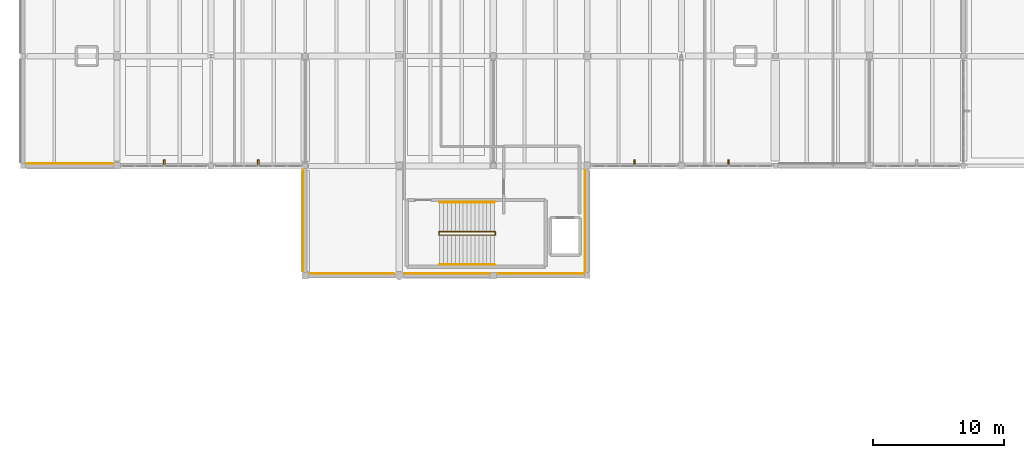
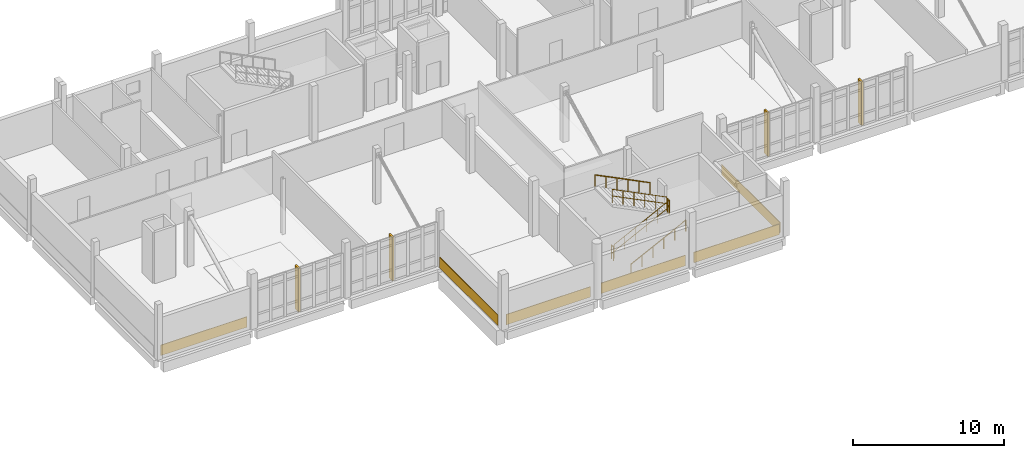
# One storey, part 31 of 34: 6 coverings, 6 railings, 4 shading devices.
"""IFC4 building model written with IfcOpenShell, lengths in metres."""

from ifc_helpers import new_model, si_unit, direction, frame, origin, origin_2d, place, context, subcontext, project, spatial, rectangle, circle, extrude, material, layer, layer_set, type_object, element, save


model = new_model("IFC4")

# Units and contexts
model_context = context("Model", 3, precision=1e-05, world=origin(), true_north=direction((0.0, 1.0)))
body_context = subcontext(model_context, "Body", "Model", "MODEL_VIEW")
ifc_project = project(units=[si_unit("LENGTHUNIT", "METRE"), si_unit("AREAUNIT", "SQUARE_METRE"), si_unit("VOLUMEUNIT", "CUBIC_METRE"), si_unit("PLANEANGLEUNIT", "RADIAN"), si_unit("MASSUNIT", "GRAM", prefix="KILO")], contexts=[model_context])

# Site, building, storey
site_placement = place(None, origin())
site = spatial("IfcSite", under=ifc_project, at=site_placement, CompositionType="ELEMENT")
building_placement = place(site_placement, origin())
building = spatial("IfcBuilding", under=site, at=building_placement, Name="Kalluvel Institute of Natural Sciences", CompositionType="ELEMENT")
storey_placement = place(building_placement, frame((0.0, 0.0, 36.89990234375)))
storey = spatial("IfcBuildingStorey", under=building, at=storey_placement, Name="L08", CompositionType="ELEMENT", Elevation=36.89990234375)

# Coverings
ifc_material_1 = material(Name="Sadarahalli Grey Granite Ashlar Concrete M40", Category="masonry")
ifc_layer = layer(ifc_material_1, 0.044921875)
ifc_layer_set = layer_set([ifc_layer], Name="Sadarahalli Grey Granite Ashlar Concrete M40")
covering_type = type_object("IfcCoveringType", Name="COV-CLAD-STONE", PredefinedType="CLADDING", material=ifc_layer_set)
covering_1_placement = place(storey_placement, frame((17.574951171875, 102.969970703125, 0.025146484375), z_axis=(0.0, 0.0, 1.0), x_axis=(1.0, 0.0, 0.0)))
element("IfcCovering", 1, at=covering_1_placement, inside=storey, type_object=covering_type, Name="L08 Sadarahalli granite plinth spandrel cladding 102", PredefinedType="CLADDING", context=body_context, shape_type="SweptSolid", body=[
    extrude(rectangle(XDim=6.590087890625, YDim=0.044921875, at=origin_2d()), origin(), (0.0, 0.0, 1.0), 0.85009765625),
])
for number, where, z_axis, x_axis, name in (
    (2, (39.16259765625, 94.570068359375, 0.025146484375), (0.0, 0.0, 1.0), (1.0, 0.0, 0.0), "L08 Sadarahalli granite plinth spandrel cladding 124"),
    (3, (46.4375, 94.570068359375, 0.025146484375), (0.0, 0.0, 1.0), (1.0, 0.0, 0.0), "L08 Sadarahalli granite plinth spandrel cladding 125"),
):
    element("IfcCovering", number, at=place(storey_placement, frame(where, z_axis=z_axis, x_axis=x_axis)), inside=storey, type_object=covering_type, Name=name, PredefinedType="CLADDING", context=body_context, shape_type="SweptSolid", body=[
        extrude(rectangle(XDim=6.465087890625, YDim=0.044921875, at=origin_2d()), origin(), (0.0, 0.0, 1.0), 0.85009765625),
    ])
covering_2_placement = place(storey_placement, frame((53.612548828125, 94.570068359375, 0.025146484375), z_axis=(0.0, 0.0, 1.0), x_axis=(1.0, 0.0, 0.0)))
element("IfcCovering", 4, at=covering_2_placement, inside=storey, type_object=covering_type, Name="L08 Sadarahalli granite plinth spandrel cladding 126", PredefinedType="CLADDING", context=body_context, shape_type="SweptSolid", body=[
    extrude(rectangle(XDim=6.56494140625, YDim=0.044921875, at=origin_2d()), origin(), (0.0, 0.0, 1.0), 0.85009765625),
])
covering_3_placement = place(storey_placement, frame((57.030029296875, 98.58740234375, 0.025146484375), z_axis=(0.0, 0.0, 1.0), x_axis=(0.0, 1.0, 0.0)))
element("IfcCovering", 5, at=covering_3_placement, inside=storey, type_object=covering_type, Name="L08 Sadarahalli granite plinth spandrel cladding 127", PredefinedType="CLADDING", context=body_context, shape_type="SweptSolid", body=[
    extrude(rectangle(XDim=7.764892578125, YDim=0.044921875, at=origin_2d()), origin(), (0.0, 0.0, 1.0), 0.85009765625),
])
covering_4_placement = place(storey_placement, frame((35.429931640625, 98.625, 0.025146484375), z_axis=(0.0, 0.0, 1.0), x_axis=(0.0, 1.0, 0.0)))
element("IfcCovering", 6, at=covering_4_placement, inside=storey, type_object=covering_type, Name="L08 Sadarahalli granite plinth spandrel cladding 128", PredefinedType="CLADDING", context=body_context, shape_type="SweptSolid", body=[
    extrude(rectangle(XDim=7.7900390625, YDim=0.044921875, at=origin_2d()), origin(), (0.0, 0.0, 1.0), 0.85009765625),
])

# Railings
ifc_material_2 = material(Name="Galvanized Fire-Rated Steel", Category="steel")
railing_type_1 = type_object("IfcRailingType", Name="RL-GD-STAIR", PredefinedType="BALUSTRADE", material=ifc_material_2)
railing_1_placement = place(storey_placement, frame((45.89990234375, 97.510009765625, 0.150146484375)))
element("IfcRailing", 7, at=railing_1_placement, inside=storey, type_object=railing_type_1, Name="L08 ST3 stair guard 1", PredefinedType="BALUSTRADE", context=body_context, shape_type="SweptSolid", body=[
    extrude(circle(Radius=0.02392578125, at=origin_2d()), frame((0.0, 0.0, 1.09619140625), z_axis=(0.894447986312, 0.0, 0.447172002457), x_axis=(0.0, 1.0, 0.0)), (0.0, 0.0, 1.0), 4.69580078125),
    extrude(circle(Radius=0.02392578125, at=origin_2d()), frame((0.0, 0.0, 0.56005859375), z_axis=(0.894447986312, 0.0, 0.447172002457), x_axis=(0.0, 1.0, 0.0)), (0.0, 0.0, 1.0), 4.69580078125),
    extrude(circle(Radius=0.02099609375, at=origin_2d()), origin(), (0.0, 0.0, 1.0), 1.072021484375),
    extrude(circle(Radius=0.02099609375, at=origin_2d()), frame((0.840087890625, 0.0, 0.419921875)), (0.0, 0.0, 1.0), 1.072021484375),
    extrude(circle(Radius=0.02099609375, at=origin_2d()), frame((1.68017578125, 0.0, 0.83984375)), (0.0, 0.0, 1.0), 1.072021484375),
    extrude(circle(Radius=0.02099609375, at=origin_2d()), frame((2.52001953125, 0.0, 1.260009765625)), (0.0, 0.0, 1.0), 1.072021484375),
    extrude(circle(Radius=0.02099609375, at=origin_2d()), frame((3.360107421875, 0.0, 1.679931640625)), (0.0, 0.0, 1.0), 1.072021484375),
    extrude(circle(Radius=0.02099609375, at=origin_2d()), frame((4.2001953125, 0.0, 2.099853515625)), (0.0, 0.0, 1.0), 1.072021484375),
])
railing_2_placement = place(storey_placement, frame((50.14990234375, 97.4951171875, 2.25)))
element("IfcRailing", 8, at=railing_2_placement, inside=storey, type_object=railing_type_1, Name="L08 ST3 stair guard 2", PredefinedType="BALUSTRADE", context=body_context, shape_type="SweptSolid", body=[
    extrude(circle(Radius=0.02392578125, at=origin_2d()), frame((0.0, 0.0, 1.09619140625), z_axis=(0.0, 1.0, 0.0), x_axis=(-1.0, 0.0, 0.0)), (0.0, 0.0, 1.0), 0.27978515625),
    extrude(circle(Radius=0.02392578125, at=origin_2d()), frame((0.0, 0.0, 0.56005859375), z_axis=(0.0, 1.0, 0.0), x_axis=(-1.0, 0.0, 0.0)), (0.0, 0.0, 1.0), 0.27978515625),
    extrude(circle(Radius=0.02099609375, at=origin_2d()), origin(), (0.0, 0.0, 1.0), 1.072021484375),
    extrude(circle(Radius=0.02099609375, at=origin_2d()), frame((0.0, 0.27978515625, 0.0)), (0.0, 0.0, 1.0), 1.072021484375),
])
railing_3_placement = place(storey_placement, frame((50.10009765625, 97.760009765625, 2.400146484375)))
element("IfcRailing", 9, at=railing_3_placement, inside=storey, type_object=railing_type_1, Name="L08 ST3 stair guard 3", PredefinedType="BALUSTRADE", context=body_context, shape_type="SweptSolid", body=[
    extrude(circle(Radius=0.02392578125, at=origin_2d()), frame((0.0, 0.0, 1.09619140625), z_axis=(-0.894447986312, 0.0, 0.447172002457), x_axis=(0.0, -1.0, 0.0)), (0.0, 0.0, 1.0), 4.69580078125),
    extrude(circle(Radius=0.02392578125, at=origin_2d()), frame((0.0, 0.0, 0.56005859375), z_axis=(-0.894447986312, 0.0, 0.447172002457), x_axis=(0.0, -1.0, 0.0)), (0.0, 0.0, 1.0), 4.69580078125),
    extrude(circle(Radius=0.02099609375, at=origin_2d()), origin(), (0.0, 0.0, 1.0), 1.072021484375),
    extrude(circle(Radius=0.02099609375, at=origin_2d()), frame((-0.840087890625, 0.0, 0.419921875)), (0.0, 0.0, 1.0), 1.072021484375),
    extrude(circle(Radius=0.02099609375, at=origin_2d()), frame((-1.68017578125, 0.0, 0.83984375)), (0.0, 0.0, 1.0), 1.072021484375),
    extrude(circle(Radius=0.02099609375, at=origin_2d()), frame((-2.52001953125, 0.0, 1.260009765625)), (0.0, 0.0, 1.0), 1.072021484375),
    extrude(circle(Radius=0.02099609375, at=origin_2d()), frame((-3.360107421875, 0.0, 1.679931640625)), (0.0, 0.0, 1.0), 1.072021484375),
    extrude(circle(Radius=0.02099609375, at=origin_2d()), frame((-4.2001953125, 0.0, 2.099853515625)), (0.0, 0.0, 1.0), 1.072021484375),
])
railing_4_placement = place(storey_placement, frame((45.85009765625, 97.4951171875, 0.0)))
element("IfcRailing", 10, at=railing_4_placement, inside=storey, type_object=railing_type_1, Name="L08 ST3 stair guard 4", PredefinedType="BALUSTRADE", context=body_context, shape_type="SweptSolid", body=[
    extrude(circle(Radius=0.02392578125, at=origin_2d()), frame((0.0, 0.0, 1.09619140625), z_axis=(0.0, 1.0, 0.0), x_axis=(-1.0, 0.0, 0.0)), (0.0, 0.0, 1.0), 0.27978515625),
    extrude(circle(Radius=0.02392578125, at=origin_2d()), frame((0.0, 0.0, 0.56005859375), z_axis=(0.0, 1.0, 0.0), x_axis=(-1.0, 0.0, 0.0)), (0.0, 0.0, 1.0), 0.27978515625),
    extrude(circle(Radius=0.02099609375, at=origin_2d()), origin(), (0.0, 0.0, 1.0), 1.072021484375),
    extrude(circle(Radius=0.02099609375, at=origin_2d()), frame((0.0, 0.27978515625, 0.0)), (0.0, 0.0, 1.0), 1.072021484375),
])
railing_type_2 = type_object("IfcRailingType", Name="RL-HR-STAIR", PredefinedType="HANDRAIL", material=ifc_material_2)
railing_5_placement = place(storey_placement, frame((45.89990234375, 95.25, 0.150146484375)))
element("IfcRailing", 11, at=railing_5_placement, inside=storey, type_object=railing_type_2, Name="L08 ST3 stair handrail 1", PredefinedType="HANDRAIL", context=body_context, shape_type="SweptSolid", body=[
    extrude(circle(Radius=0.02392578125, at=origin_2d()), frame((0.0, 0.0, 0.89599609375), z_axis=(0.894447986312, 0.0, 0.447172002457), x_axis=(0.0, 1.0, 0.0)), (0.0, 0.0, 1.0), 4.69580078125),
    extrude(circle(Radius=0.02099609375, at=origin_2d()), origin(), (0.0, 0.0, 1.0), 0.871826171875),
    extrude(circle(Radius=0.02099609375, at=origin_2d()), frame((0.840087890625, 0.0, 0.419921875)), (0.0, 0.0, 1.0), 0.871826171875),
    extrude(circle(Radius=0.02099609375, at=origin_2d()), frame((1.68017578125, 0.0, 0.83984375)), (0.0, 0.0, 1.0), 0.871826171875),
    extrude(circle(Radius=0.02099609375, at=origin_2d()), frame((2.52001953125, 0.0, 1.260009765625)), (0.0, 0.0, 1.0), 0.871826171875),
    extrude(circle(Radius=0.02099609375, at=origin_2d()), frame((3.360107421875, 0.0, 1.679931640625)), (0.0, 0.0, 1.0), 0.871826171875),
    extrude(circle(Radius=0.02099609375, at=origin_2d()), frame((4.2001953125, 0.0, 2.099853515625)), (0.0, 0.0, 1.0), 0.871826171875),
])
railing_6_placement = place(storey_placement, frame((50.10009765625, 100.02001953125, 2.400146484375)))
element("IfcRailing", 12, at=railing_6_placement, inside=storey, type_object=railing_type_2, Name="L08 ST3 stair handrail 2", PredefinedType="HANDRAIL", context=body_context, shape_type="SweptSolid", body=[
    extrude(circle(Radius=0.02392578125, at=origin_2d()), frame((0.0, 0.0, 0.89599609375), z_axis=(-0.894447986312, 0.0, 0.447172002457), x_axis=(0.0, -1.0, 0.0)), (0.0, 0.0, 1.0), 4.69580078125),
    extrude(circle(Radius=0.02099609375, at=origin_2d()), origin(), (0.0, 0.0, 1.0), 0.871826171875),
    extrude(circle(Radius=0.02099609375, at=origin_2d()), frame((-0.840087890625, 0.0, 0.419921875)), (0.0, 0.0, 1.0), 0.871826171875),
    extrude(circle(Radius=0.02099609375, at=origin_2d()), frame((-1.68017578125, 0.0, 0.83984375)), (0.0, 0.0, 1.0), 0.871826171875),
    extrude(circle(Radius=0.02099609375, at=origin_2d()), frame((-2.52001953125, 0.0, 1.260009765625)), (0.0, 0.0, 1.0), 0.871826171875),
    extrude(circle(Radius=0.02099609375, at=origin_2d()), frame((-3.360107421875, 0.0, 1.679931640625)), (0.0, 0.0, 1.0), 0.871826171875),
    extrude(circle(Radius=0.02099609375, at=origin_2d()), frame((-4.2001953125, 0.0, 2.099853515625)), (0.0, 0.0, 1.0), 0.871826171875),
])

# Shading devices
shading_device_type = type_object("IfcShadingDeviceType", Name="SHD-FIN-STONE", PredefinedType="USERDEFINED", material=ifc_material_1)
for number, where, z_axis, x_axis, name in (
    (13, (24.8125, 103.02001953125, 0.0), (0.0, 0.0, 1.0), (1.0, 0.0, 0.0), "L08 monsoon lancet shading fin 107"),
    (14, (32.012451171875, 103.02001953125, 0.0), (0.0, 0.0, 1.0), (1.0, 0.0, 0.0), "L08 monsoon lancet shading fin 108"),
    (15, (60.8125, 103.02001953125, 0.0), (0.0, 0.0, 1.0), (1.0, 0.0, 0.0), "L08 monsoon lancet shading fin 109"),
    (16, (68.012451171875, 103.02001953125, 0.0), (0.0, 0.0, 1.0), (1.0, 0.0, 0.0), "L08 monsoon lancet shading fin 110"),
):
    element("IfcShadingDevice", number, at=place(storey_placement, frame(where, z_axis=z_axis, x_axis=x_axis)), inside=storey, type_object=shading_device_type, Name=name, ObjectType="MONSOON FIN", PredefinedType="USERDEFINED", context=body_context, shape_type="SweptSolid", body=[
        extrude(rectangle(XDim=0.139892578125, YDim=0.47998046875, at=origin_2d()), origin(), (0.0, 0.0, 1.0), 3.530029296875),
    ])

save(model, "model.ifc")
